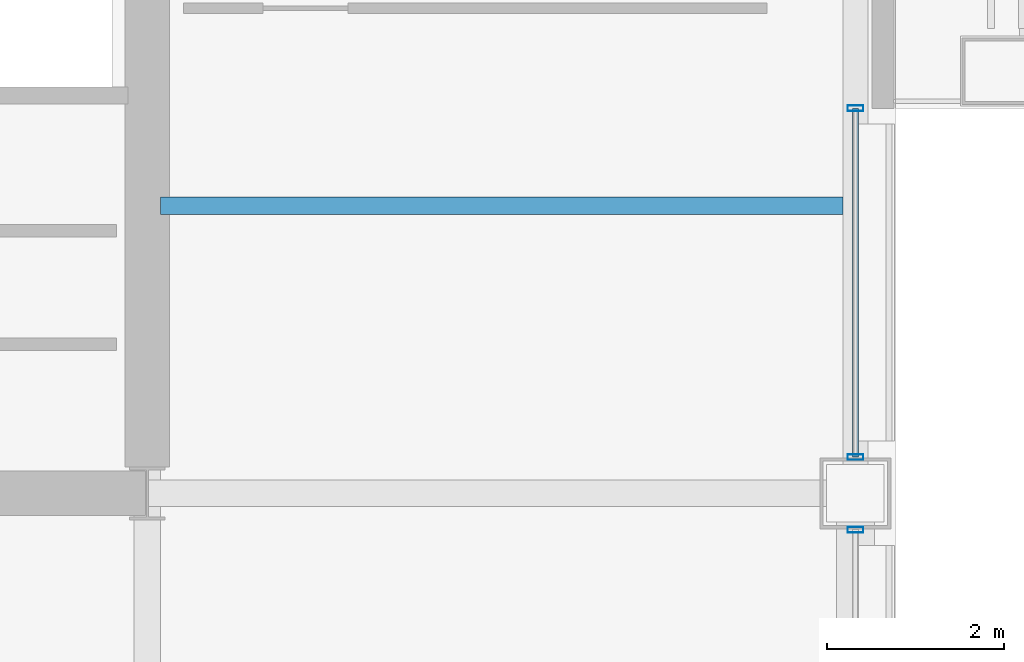
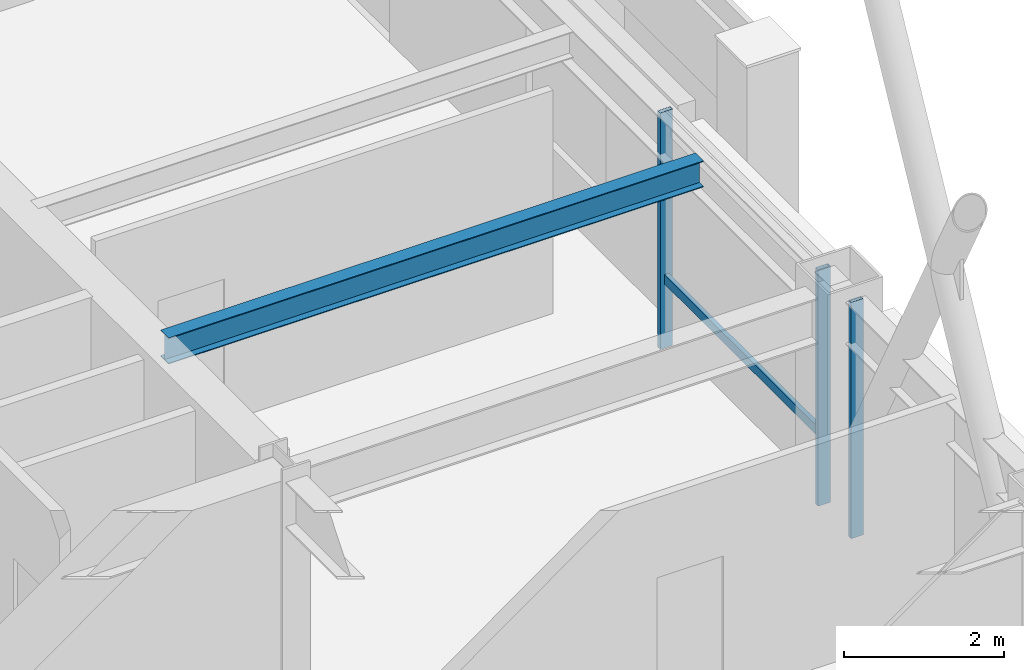
# One storey, part 15 of 35: 4 members, 1 beam, 2 elements without a shape of their own.
"""IFC4 building model written with IfcOpenShell, lengths in metres."""

from ifc_helpers import new_model, si_unit, direction, frame, origin, origin_2d, place, context, subcontext, project, spatial, hollow_rectangle, i_section, extrude, material, layer, layer_set, material_profile, profile_set, type_object, element, aggregate, save


model = new_model("IFC4")

# Units and contexts
model_context = context("Model", 3, precision=1e-05, world=origin(), true_north=direction((0.0, 1.0)))
body_context = subcontext(model_context, "Body", "Model", "MODEL_VIEW")
ifc_project = project(units=[si_unit("LENGTHUNIT", "METRE"), si_unit("AREAUNIT", "SQUARE_METRE"), si_unit("VOLUMEUNIT", "CUBIC_METRE"), si_unit("PLANEANGLEUNIT", "RADIAN"), si_unit("MASSUNIT", "GRAM", prefix="KILO")], contexts=[model_context])

# Site, building, storey
site_placement = place(None, origin())
site = spatial("IfcSite", under=ifc_project, at=site_placement, CompositionType="ELEMENT")
building_placement = place(site_placement, origin())
building = spatial("IfcBuilding", under=site, at=building_placement, Name="Brelmoor Portico Tower", CompositionType="ELEMENT")
storey_placement = place(building_placement, frame((0.0, 0.0, 131.39990234375)))
storey = spatial("IfcBuildingStorey", under=building, at=storey_placement, Name="L34", CompositionType="ELEMENT", Elevation=131.39990234375)

# Beam
ifc_material_1 = material(Name="Steel Q355B", Category="steel")
ifc_material_profile_1 = material_profile(ifc_material_1, i_section(OverallWidth=0.199951171875, OverallDepth=0.39990234375, WebThickness=0.008056640625, FlangeThickness=0.012939453125, at=origin_2d()), Name="HN 400x200x8x13")
ifc_profile_set_1 = profile_set([ifc_material_profile_1], Name="Steel Q355B")
beam_type = type_object("IfcBeamType", Name="BM-JS-400", PredefinedType="JOIST", material=ifc_profile_set_1)
beam_placement = place(storey_placement, frame((14.699951171875, -6.5, 3.2001953125), z_axis=(1.0, 0.0, 0.0), x_axis=(0.0, 1.0, 0.0)))
element("IfcBeam", 1, at=beam_placement, inside=storey, type_object=beam_type, Name="L34 Secondary Wing Joist JS-E09", PredefinedType="JOIST", context=body_context, shape_type="SweptSolid", body=[
    extrude(i_section(OverallWidth=0.199951171875, OverallDepth=0.39990234375, WebThickness=0.008056640625, FlangeThickness=0.012939453125, at=origin_2d()), origin(), (0.0, 0.0, 1.0), 7.7099609375),
])

# Curtain wall, member
ifc_material_2 = material(Name="Anodised Aluminium Alloy 6063-T6", Category="aluminium")
ifc_layer_1 = layer(ifc_material_2, 0.179931640625)
ifc_layer_set_1 = layer_set([ifc_layer_1], Name="Anodised Aluminium Alloy 6063-T6")
curtain_wall_type_1 = type_object("IfcCurtainWallType", Name="CW-TOWER-Z2-XB", PredefinedType="NOTDEFINED", material=ifc_layer_set_1)
curtain_wall_1_placement = place(storey_placement, origin())
curtain_wall_1 = element("IfcCurtainWall", 2, at=curtain_wall_1_placement, inside=storey, type_object=curtain_wall_type_1, Name="L34 Curtain Wall CW-L34-4L-1", PredefinedType="NOTDEFINED")
ifc_material_profile_2 = material_profile(ifc_material_2, hollow_rectangle(XDim=0.06494140625, YDim=0.179931640625, WallThickness=0.00390625, at=origin_2d()), Name="ALU MULLION 65x180")
ifc_profile_set_2 = profile_set([ifc_material_profile_2], Name="Anodised Aluminium Alloy 6063-T6")
member_type_1 = type_object("IfcMemberType", Name="MB-CW-MULL-180", PredefinedType="MULLION", material=ifc_profile_set_2)
member_1_placement = place(storey_placement, frame((22.550048828125, -10.159912109375, -0.199951171875), z_axis=(0.0, 0.0, 1.0), x_axis=(0.0, 1.0, 0.0)))
member_1 = element("IfcMember", 3, at=member_1_placement, type_object=member_type_1, Name="CW-L34-4L-1 Mullion 01", PredefinedType="MULLION", context=body_context, shape_type="SweptSolid", body=[
    extrude(hollow_rectangle(XDim=0.06494140625, YDim=0.179931640625, WallThickness=0.00390625, at=origin_2d()), origin(), (0.0, 0.0, 1.0), 3.60009765625),
])
aggregate(curtain_wall_1, [member_1])

# Curtain wall, members
ifc_layer_2 = layer(ifc_material_2, 0.179931640625)
ifc_layer_set_2 = layer_set([ifc_layer_2], Name="Anodised Aluminium Alloy 6063-T6")
curtain_wall_type_2 = type_object("IfcCurtainWallType", Name="CW-TOWER-Z2", PredefinedType="NOTDEFINED", material=ifc_layer_set_2)
curtain_wall_2_placement = place(storey_placement, origin())
curtain_wall_2 = element("IfcCurtainWall", 4, at=curtain_wall_2_placement, inside=storey, type_object=curtain_wall_type_2, Name="L34 Curtain Wall CW-L34-4L-2", PredefinedType="NOTDEFINED")
member_2_placement = place(storey_placement, frame((22.550048828125, -9.340087890625, -0.199951171875), z_axis=(0.0, 0.0, 1.0), x_axis=(0.0, 1.0, 0.0)))
member_2 = element("IfcMember", 5, at=member_2_placement, type_object=member_type_1, Name="CW-L34-4L-2 Mullion 00", PredefinedType="MULLION", context=body_context, shape_type="SweptSolid", body=[
    extrude(hollow_rectangle(XDim=0.06494140625, YDim=0.179931640625, WallThickness=0.00390625, at=origin_2d()), origin(), (0.0, 0.0, 1.0), 3.60009765625),
])
member_3_placement = place(storey_placement, frame((22.550048828125, -5.39990234375, -0.199951171875), z_axis=(0.0, 0.0, 1.0), x_axis=(0.0, 1.0, 0.0)))
member_3 = element("IfcMember", 6, at=member_3_placement, type_object=member_type_1, Name="CW-L34-4L-2 Mullion 01", PredefinedType="MULLION", context=body_context, shape_type="SweptSolid", body=[
    extrude(hollow_rectangle(XDim=0.06494140625, YDim=0.179931640625, WallThickness=0.00390625, at=origin_2d()), origin(), (0.0, 0.0, 1.0), 3.60009765625),
])
ifc_material_profile_3 = material_profile(ifc_material_2, hollow_rectangle(XDim=0.06494140625, YDim=0.139892578125, WallThickness=0.00390625, at=origin_2d()), Name="ALU TRANSOM 65x140")
ifc_profile_set_3 = profile_set([ifc_material_profile_3], Name="Anodised Aluminium Alloy 6063-T6")
member_type_2 = type_object("IfcMemberType", Name="MB-CW-TRAN-140", PredefinedType="USERDEFINED", material=ifc_profile_set_3)
member_4_placement = place(storey_placement, frame((22.550048828125, -9.340087890625, 0.85009765625), z_axis=(0.0, 1.0, 0.0), x_axis=(-1.0, 0.0, 0.0)))
member_4 = element("IfcMember", 7, at=member_4_placement, type_object=member_type_2, Name="CW-L34-4L-2 Transom 1-00", ObjectType="TRANSOM", PredefinedType="USERDEFINED", context=body_context, shape_type="SweptSolid", body=[
    extrude(hollow_rectangle(XDim=0.06494140625, YDim=0.139892578125, WallThickness=0.00390625, at=origin_2d()), origin(), (0.0, 0.0, 1.0), 3.940185546875),
])
aggregate(curtain_wall_2, [member_2, member_3, member_4])

save(model, "model.ifc")
